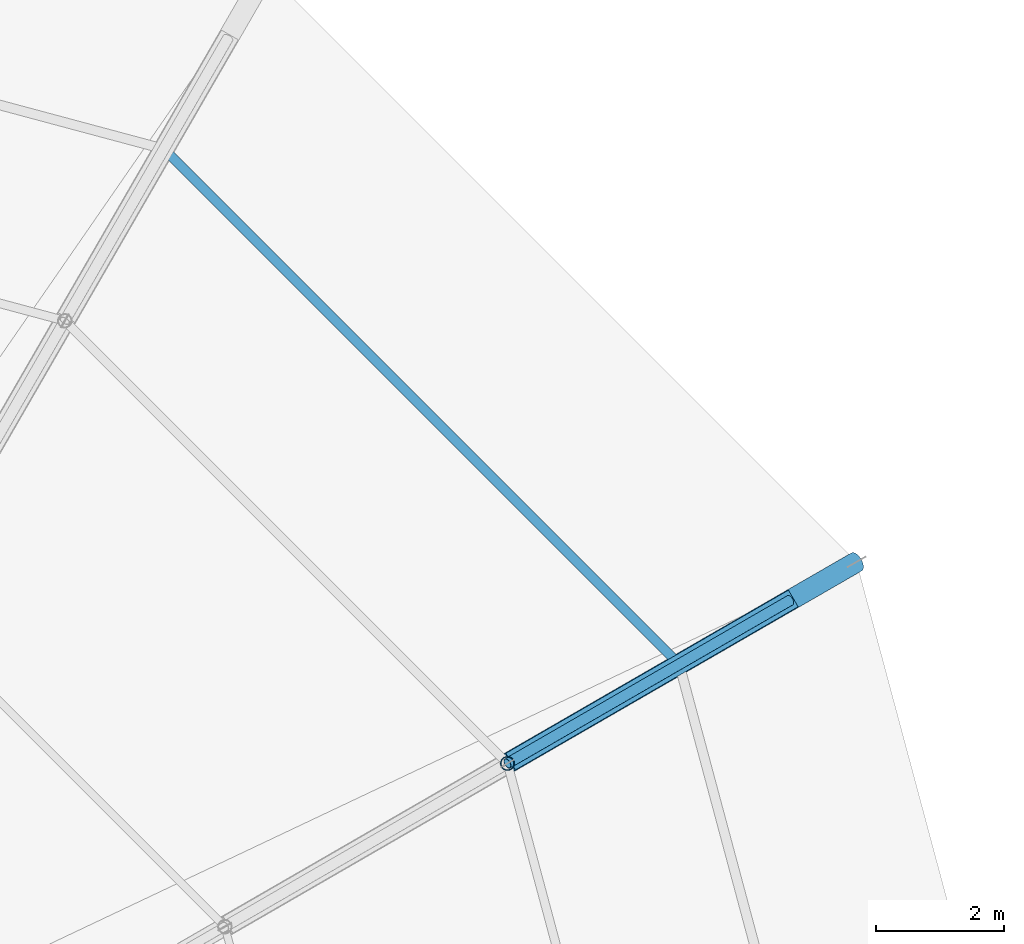
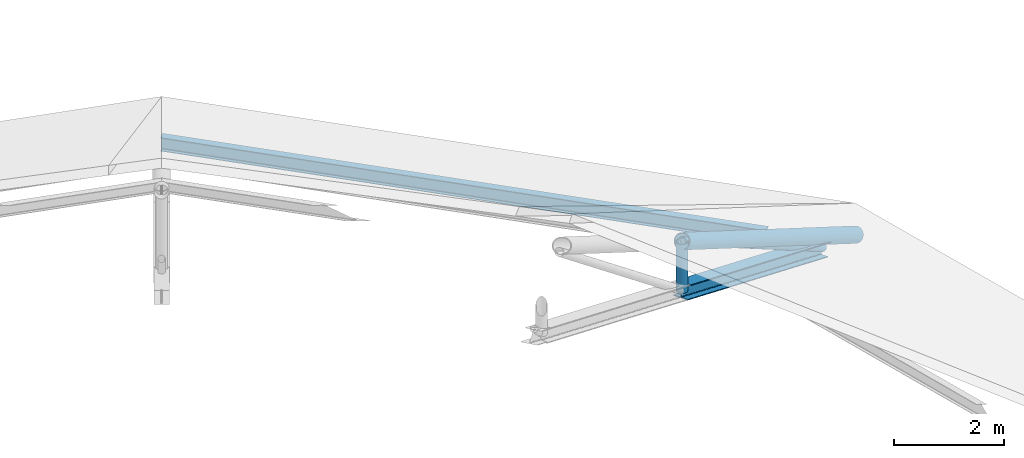
# One storey, part 27 of 58: 5 members.
"""IFC4 building model written with IfcOpenShell, lengths in metres."""

from ifc_helpers import new_model, si_unit, derived_unit, direction, frame, origin, origin_2d, place, context, subcontext, project, spatial, hollow_circle, i_section, extrude, material, material_profile, profile_set, type_object, element, save


model = new_model("IFC4")

# Units and contexts
model_context = context("Model", 3, precision=1e-05, world=origin(), true_north=direction((0.0, 1.0)))
body_context = subcontext(model_context, "Body", "Model", "MODEL_VIEW")
ifc_project = project(units=[si_unit("LENGTHUNIT", "METRE"), si_unit("AREAUNIT", "SQUARE_METRE"), si_unit("VOLUMEUNIT", "CUBIC_METRE"), si_unit("PLANEANGLEUNIT", "RADIAN"), si_unit("MASSUNIT", "GRAM", prefix="KILO"), derived_unit("THERMALTRANSMITTANCEUNIT", [(si_unit("POWERUNIT", "WATT"), 1), (si_unit("AREAUNIT", "SQUARE_METRE"), -1), (si_unit("THERMODYNAMICTEMPERATUREUNIT", "KELVIN"), -1)])], contexts=[model_context])

# Site, building, storey
site_placement = place(None, origin())
site = spatial("IfcSite", under=ifc_project, at=site_placement, CompositionType="ELEMENT")
building_placement = place(site_placement, origin())
building = spatial("IfcBuilding", under=site, at=building_placement, Name="Yasenodar Specialist Clinic", CompositionType="ELEMENT")
storey_placement = place(building_placement, frame((0.0, 0.0, 21.300048828125)))
storey = spatial("IfcBuildingStorey", under=building, at=storey_placement, Name="L05", CompositionType="ELEMENT", Elevation=21.300048828125)

# Members
ifc_material = material(Name="Steel S355", Category="steel")
ifc_material_profile_1 = material_profile(ifc_material, i_section(OverallWidth=0.14990234375, OverallDepth=0.300048828125, WebThickness=0.007080078125, FlangeThickness=0.0107421875, FilletRadius=0.014892578125, at=origin_2d()), Name="IPE 300")
ifc_profile_set_1 = profile_set([ifc_material_profile_1], Name="Steel S355")
member_type_1 = type_object("IfcMemberType", Name="PR-IPE300", PredefinedType="PURLIN", material=ifc_profile_set_1)
member_1_placement = place(storey_placement, frame((100.052490234375, 69.800048828125, 1.2265625), z_axis=(-0.707106781187, 0.707106781187, 0.0), x_axis=(-0.707106781187, -0.707106781187, 0.0)))
element("IfcMember", 1, at=member_1_placement, inside=storey, type_object=member_type_1, Name="Drum Roof Concentric Purlin 1.02", PredefinedType="PURLIN", context=body_context, shape_type="SweptSolid", body=[
    extrude(i_section(OverallWidth=0.14990234375, OverallDepth=0.300048828125, WebThickness=0.007080078125, FlangeThickness=0.0107421875, FilletRadius=0.014892578125, at=origin_2d()), origin(), (0.0, 0.0, 1.0), 11.387939453125),
])
ifc_material_profile_2 = material_profile(ifc_material, hollow_circle(Radius=0.084228515625, WallThickness=0.008056640625, at=origin_2d()), Name="CHS 168.3x8")
ifc_profile_set_2 = profile_set([ifc_material_profile_2], Name="Steel S355")
member_type_2 = type_object("IfcMemberType", Name="TR-BRC-CHS168", PredefinedType="BRACE", material=ifc_profile_set_2)
member_2_placement = place(storey_placement, frame((101.78466796875, 70.800048828125, -0.25), z_axis=(-0.731967391976, -0.422607893936, 0.534440179128), x_axis=(0.500005610874, -0.86602216432, 0.0)))
element("IfcMember", 2, at=member_2_placement, inside=storey, type_object=member_type_2, Name="Drum Roof Truss 02 Web Diagonal 1", PredefinedType="BRACE", context=body_context, shape_type="SweptSolid", body=[
    extrude(hollow_circle(Radius=0.084228515625, WallThickness=0.008056640625, at=origin_2d()), origin(), (0.0, 0.0, 1.0), 6.0341796875),
])
ifc_material_profile_3 = material_profile(ifc_material, hollow_circle(Radius=0.161865234375, WallThickness=0.01611328125, at=origin_2d()), Name="CHS 323.9x16")
ifc_profile_set_3 = profile_set([ifc_material_profile_3], Name="Steel S355")
member_type_3 = type_object("IfcMemberType", Name="TR-CHD-CHS324", PredefinedType="CHORD", material=ifc_profile_set_3)
member_3_placement = place(storey_placement, frame((102.82373046875, 71.39990234375, -0.699951171875), z_axis=(-0.748059863693, -0.43189100825, 0.503861684714), x_axis=(0.499998649469, -0.866026183513, 0.0)))
element("IfcMember", 3, at=member_3_placement, inside=storey, type_object=member_type_3, Name="Drum Roof Truss 02 Top Chord 1", PredefinedType="CHORD", context=body_context, shape_type="SweptSolid", body=[
    extrude(hollow_circle(Radius=0.161865234375, WallThickness=0.01611328125, at=origin_2d()), origin(), (0.0, 0.0, 1.0), 7.293212890625),
])
ifc_material_profile_4 = material_profile(ifc_material, i_section(OverallWidth=0.300048828125, OverallDepth=0.300048828125, WebThickness=0.010986328125, FlangeThickness=0.01904296875, FilletRadius=0.027099609375, at=origin_2d()), Name="HEB 300")
ifc_profile_set_4 = profile_set([ifc_material_profile_4], Name="Steel S355")
member_type_4 = type_object("IfcMemberType", Name="TR-CHD-HEB300", PredefinedType="CHORD", material=ifc_profile_set_4)
member_4_placement = place(storey_placement, frame((101.78466796875, 70.800048828125, -0.25), z_axis=(-0.798711994016, -0.461143484467, 0.38653051283), x_axis=(0.500005610874, -0.86602216432, 0.0)))
element("IfcMember", 4, at=member_4_placement, inside=storey, type_object=member_type_4, Name="Drum Roof Truss 02 Bottom Chord 1", PredefinedType="CHORD", context=body_context, shape_type="SweptSolid", body=[
    extrude(i_section(OverallWidth=0.300048828125, OverallDepth=0.300048828125, WebThickness=0.010986328125, FlangeThickness=0.01904296875, FilletRadius=0.027099609375, at=origin_2d()), origin(), (0.0, 0.0, 1.0), 5.52978515625),
])
ifc_material_profile_5 = material_profile(ifc_material, hollow_circle(Radius=0.109619140625, WallThickness=0.010009765625, at=origin_2d()), Name="CHS 219.1x10")
ifc_profile_set_5 = profile_set([ifc_material_profile_5], Name="Steel S355")
member_type_5 = type_object("IfcMemberType", Name="TR-STR-CHS219", PredefinedType="STRUT", material=ifc_profile_set_5)
member_5_placement = place(storey_placement, frame((97.367919921875, 68.25, 1.887451171875), z_axis=(0.0, 0.0, 1.0), x_axis=(1.0, 0.0, 0.0)))
element("IfcMember", 5, at=member_5_placement, inside=storey, type_object=member_type_5, Name="Drum Roof Truss 02 Strut 1", PredefinedType="STRUT", context=body_context, shape_type="SweptSolid", body=[
    extrude(hollow_circle(Radius=0.109619140625, WallThickness=0.010009765625, at=origin_2d()), origin(), (0.0, 0.0, 1.0), 1.08740234375),
])

save(model, "model.ifc")
